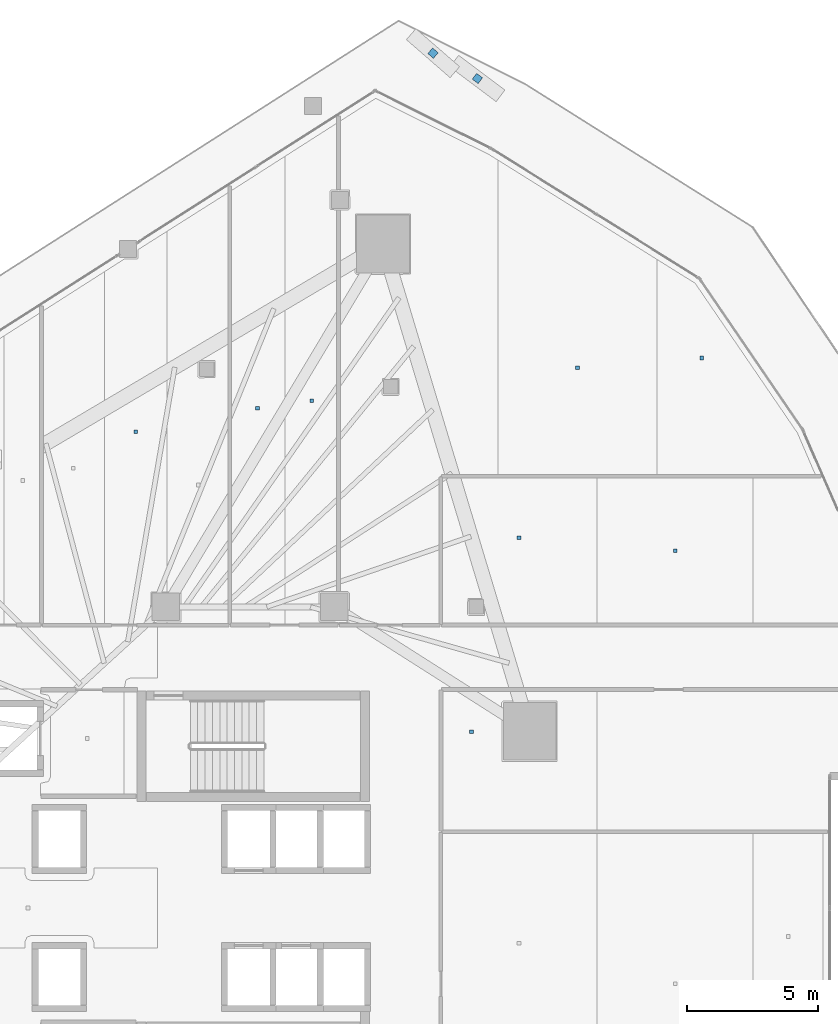
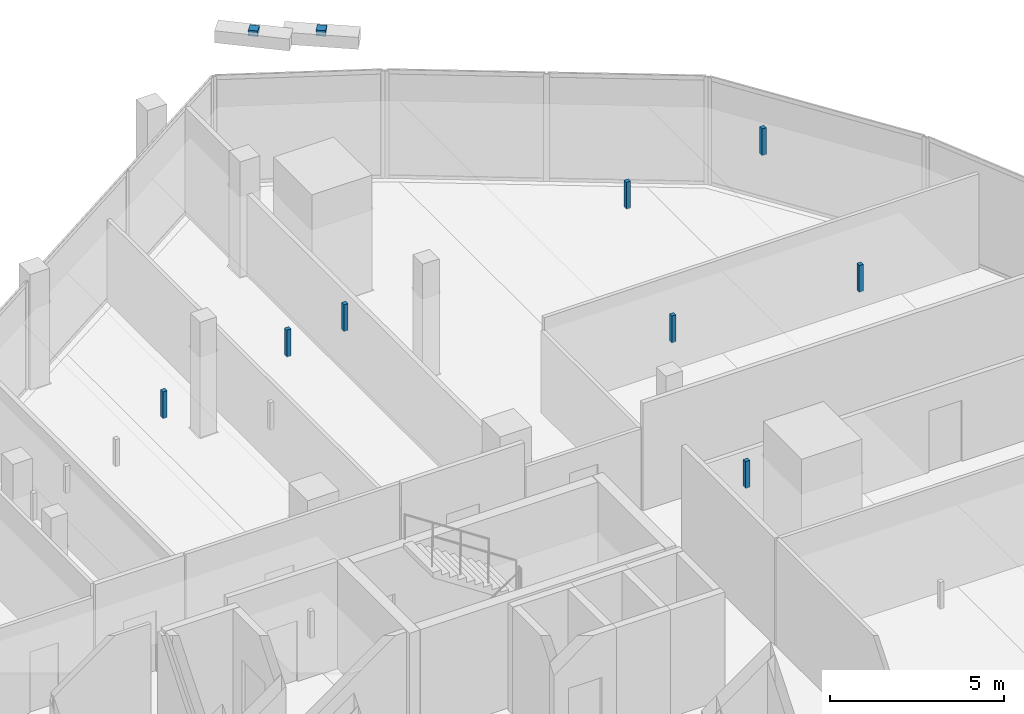
# One storey, part 36 of 45: 10 discrete accessories.
"""IFC4 building model written with IfcOpenShell, lengths in metres."""

from ifc_helpers import new_model, si_unit, direction, frame, origin, origin_2d, place, context, subcontext, project, spatial, rectangle, extrude, material, type_object, element, save


model = new_model("IFC4")

# Units and contexts
model_context = context("Model", 3, precision=1e-05, world=origin(), true_north=direction((0.0, 1.0)))
body_context = subcontext(model_context, "Body", "Model", "MODEL_VIEW")
ifc_project = project(units=[si_unit("LENGTHUNIT", "METRE"), si_unit("AREAUNIT", "SQUARE_METRE"), si_unit("VOLUMEUNIT", "CUBIC_METRE"), si_unit("PLANEANGLEUNIT", "RADIAN"), si_unit("MASSUNIT", "GRAM", prefix="KILO")], contexts=[model_context])

# Site, building, storey
site_placement = place(None, origin())
site = spatial("IfcSite", under=ifc_project, at=site_placement, CompositionType="ELEMENT")
building_placement = place(site_placement, origin())
building = spatial("IfcBuilding", under=site, at=building_placement, Name="Qorvath Tower", CompositionType="ELEMENT")
storey_placement = place(building_placement, frame((0.0, 0.0, 109.800048828125)))
storey = spatial("IfcBuildingStorey", under=building, at=storey_placement, Name="L24", CompositionType="ELEMENT", Elevation=109.800048828125)

# Discrete accessories
ifc_material = material(Name="Galvanised steel bracket", Category="steel")
discrete_accessory_type = type_object("IfcDiscreteAccessoryType", Name="DA-BRACKET", PredefinedType="BRACKET", material=ifc_material)
for number, where, z_axis, x_axis, name in (
    (1, (-11.753662109375, 31.5458984375, 3.6298828125), (0.0, 0.0, 1.0), (-0.799902575432, 0.600129877458, 0.0), "Louvre Wave Support Bracket L24-05"),
    (2, (-13.44189453125, 32.5087890625, 3.6298828125), (0.0, 0.0, 1.0), (-0.75474851022, 0.656014242467, 0.0), "Louvre Wave Support Bracket L24-06"),
):
    element("IfcDiscreteAccessory", number, at=place(storey_placement, frame(where, z_axis=z_axis, x_axis=x_axis)), inside=storey, type_object=discrete_accessory_type, Name=name, PredefinedType="NOTDEFINED", context=body_context, shape_type="SweptSolid", body=[
        extrude(rectangle(XDim=0.280029296875, YDim=0.280029296875, at=origin_2d()), origin(), (0.0, 0.0, 1.0), 0.199951171875),
    ])
for number, where, z_axis, x_axis, name in (
    (3, (-24.745849609375, 18.107177734375, 2.85986328125), (0.0, 0.0, 1.0), (1.0, 0.0, 0.0), "Acoustic Ceiling Suspension Hanger T1-L24-015"),
    (4, (-20.1142578125, 19.0068359375, 2.85986328125), (0.0, 0.0, 1.0), (1.0, 0.0, 0.0), "Acoustic Ceiling Suspension Hanger T1-L24-017"),
    (5, (-18.05419921875, 19.28955078125, 2.85986328125), (0.0, 0.0, 1.0), (1.0, 0.0, 0.0), "Acoustic Ceiling Suspension Hanger T1-L24-018"),
    (6, (-7.948486328125, 20.544677734375, 2.85986328125), (0.0, 0.0, 1.0), (1.0, 0.0, 0.0), "Acoustic Ceiling Suspension Hanger T1-L24-020"),
    (7, (-3.2275390625, 20.914306640625, 2.85986328125), (0.0, 0.0, 1.0), (1.0, 0.0, 0.0), "Acoustic Ceiling Suspension Hanger T1-L24-021"),
    (8, (-10.16943359375, 14.084716796875, 2.85986328125), (0.0, 0.0, 1.0), (1.0, 0.0, 0.0), "Acoustic Ceiling Suspension Hanger T1-L24-039"),
    (9, (-11.979248046875, 6.7001953125, 2.85986328125), (0.0, 0.0, 1.0), (1.0, 0.0, 0.0), "Acoustic Ceiling Suspension Hanger T1-L24-040"),
    (10, (-4.234130859375, 13.583740234375, 2.85986328125), (0.0, 0.0, 1.0), (1.0, 0.0, 0.0), "Acoustic Ceiling Suspension Hanger T1-L24-041"),
):
    element("IfcDiscreteAccessory", number, at=place(storey_placement, frame(where, z_axis=z_axis, x_axis=x_axis)), inside=storey, type_object=discrete_accessory_type, Name=name, PredefinedType="NOTDEFINED", context=body_context, shape_type="SweptSolid", body=[
        extrude(rectangle(XDim=0.139892578125, YDim=0.139892578125, at=origin_2d()), origin(), (0.0, 0.0, 1.0), 0.940185546875),
    ])

save(model, "model.ifc")
